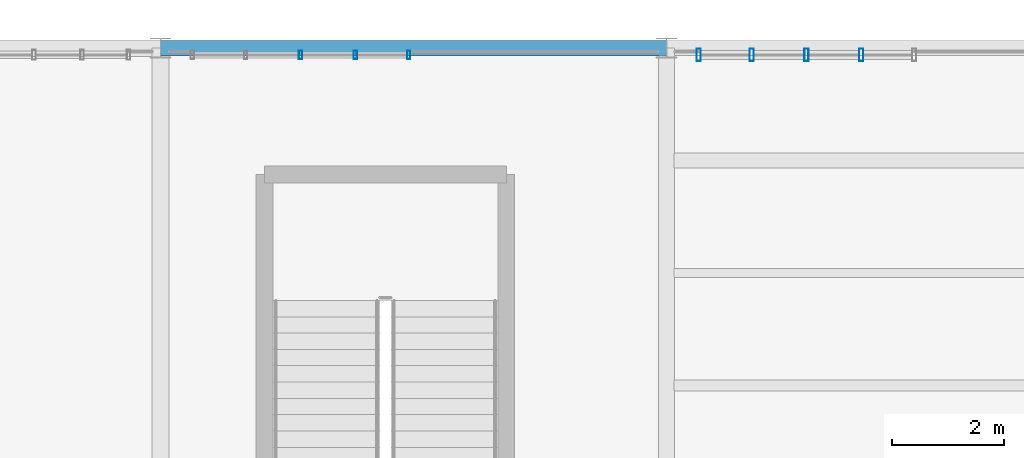
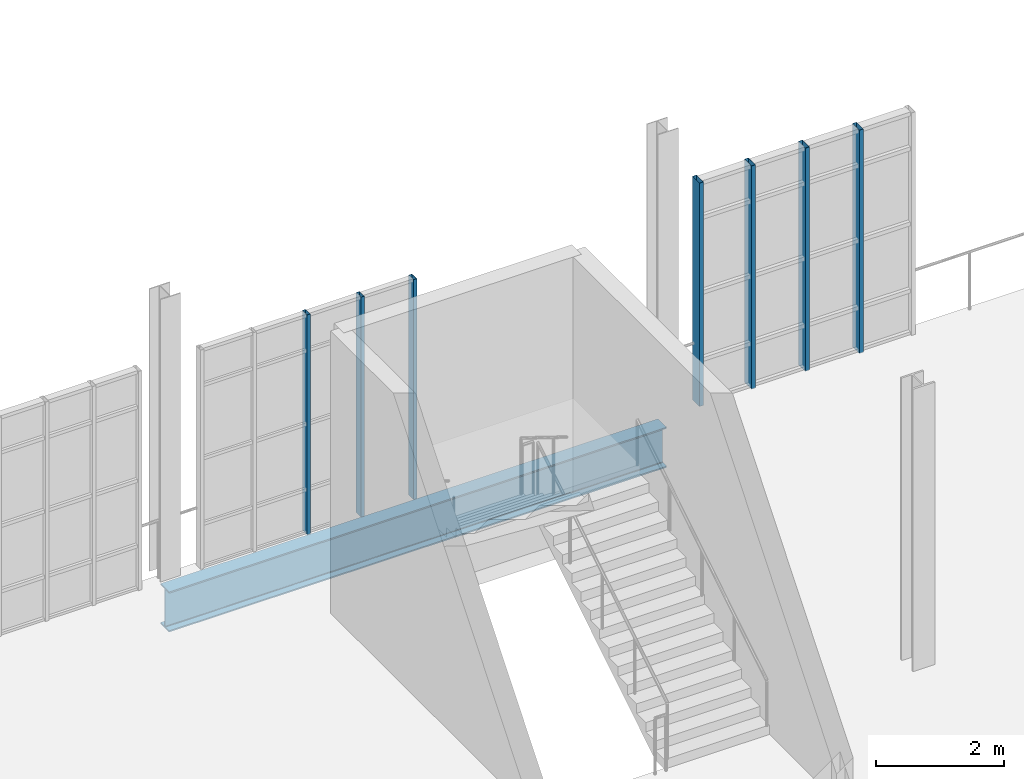
# One storey, part 65 of 142: 7 members, 1 beam, 2 elements without a shape of their own.
"""IFC4 building model written with IfcOpenShell, lengths in metres."""

from ifc_helpers import new_model, si_unit, direction, frame, origin, origin_2d, place, context, subcontext, project, spatial, hollow_rectangle, i_section, extrude, material, layer, layer_set, material_profile, profile_set, type_object, element, aggregate, save


model = new_model("IFC4")

# Units and contexts
model_context = context("Model", 3, precision=1e-05, world=origin(), true_north=direction((0.0, 1.0)))
body_context = subcontext(model_context, "Body", "Model", "MODEL_VIEW")
ifc_project = project(units=[si_unit("LENGTHUNIT", "METRE"), si_unit("AREAUNIT", "SQUARE_METRE"), si_unit("VOLUMEUNIT", "CUBIC_METRE"), si_unit("PLANEANGLEUNIT", "RADIAN"), si_unit("MASSUNIT", "GRAM", prefix="KILO"), si_unit("THERMODYNAMICTEMPERATUREUNIT", "KELVIN"), si_unit("POWERUNIT", "WATT")], contexts=[model_context])

# Site, building, storey
site_placement = place(None, origin())
site = spatial("IfcSite", under=ifc_project, at=site_placement, CompositionType="ELEMENT")
building_placement = place(site_placement, origin())
building = spatial("IfcBuilding", under=site, at=building_placement, Name="Zelmaris Science Centre", CompositionType="ELEMENT")
storey_placement = place(building_placement, frame((0.0, 0.0, 5.39990234375)))
storey = spatial("IfcBuildingStorey", under=building, at=storey_placement, Name="L01", CompositionType="ELEMENT", Elevation=5.39990234375)

# Curtain wall, members
ifc_material_1 = material(Name="Anodised architectural aluminium 6063-T6", Category="aluminium")
ifc_layer_1 = layer(ifc_material_1, 0.219970703125, Name="Anodised architectural aluminium 6063-T6")
ifc_layer_set_1 = layer_set([ifc_layer_1], Name="Anodised architectural aluminium 6063-T6")
curtain_wall_type_1 = type_object("IfcCurtainWallType", Name="Curtain Wall CW-04", PredefinedType="USERDEFINED", material=ifc_layer_set_1)
curtain_wall_1_placement = place(storey_placement, origin())
curtain_wall_1 = element("IfcCurtainWall", 1, at=curtain_wall_1_placement, inside=storey, type_object=curtain_wall_type_1, Name="L01 Unitised curtain wall 132", ObjectType="GLAZED CURTAIN WALL", PredefinedType="USERDEFINED")
ifc_material_profile_1 = material_profile(ifc_material_1, hollow_rectangle(XDim=0.06005859375, YDim=0.14990234375, WallThickness=0.00341796875, at=origin_2d()), Name="ALU-MUL-60X150")
ifc_profile_set_1 = profile_set([ifc_material_profile_1], Name="Anodised architectural aluminium 6063-T6")
member_type_1 = type_object("IfcMemberType", Name="ALU-MUL-60X150", PredefinedType="MULLION", material=ifc_profile_set_1)
member_1_placement = place(storey_placement, frame((65.489990234375, 87.8798828125, -0.014892578125), z_axis=(0.0, 0.0, 1.0), x_axis=(1.0, 0.0, 0.0)))
member_1 = element("IfcMember", 2, at=member_1_placement, type_object=member_type_1, Name="CW-04 mullion 3", PredefinedType="MULLION", context=body_context, shape_type="SweptSolid", body=[
    extrude(hollow_rectangle(XDim=0.06005859375, YDim=0.14990234375, WallThickness=0.00341796875, at=origin_2d()), origin(), (0.0, 0.0, 1.0), 4.2060546875),
])
member_2_placement = place(storey_placement, frame((66.465087890625, 87.8798828125, -0.014892578125), z_axis=(0.0, 0.0, 1.0), x_axis=(1.0, 0.0, 0.0)))
member_2 = element("IfcMember", 3, at=member_2_placement, type_object=member_type_1, Name="CW-04 mullion 4", PredefinedType="MULLION", context=body_context, shape_type="SweptSolid", body=[
    extrude(hollow_rectangle(XDim=0.06005859375, YDim=0.14990234375, WallThickness=0.00341796875, at=origin_2d()), origin(), (0.0, 0.0, 1.0), 4.2060546875),
])
member_3_placement = place(storey_placement, frame((67.4140625, 87.8798828125, -0.014892578125), z_axis=(0.0, 0.0, 1.0), x_axis=(1.0, 0.0, 0.0)))
member_3 = element("IfcMember", 4, at=member_3_placement, type_object=member_type_1, Name="CW-04 mullion 5", PredefinedType="MULLION", context=body_context, shape_type="SweptSolid", body=[
    extrude(hollow_rectangle(XDim=0.06005859375, YDim=0.14990234375, WallThickness=0.00341796875, at=origin_2d()), origin(), (0.0, 0.0, 1.0), 4.2060546875),
])
aggregate(curtain_wall_1, [member_1, member_2, member_3])

ifc_layer_2 = layer(ifc_material_1, 0.199951171875, Name="Anodised architectural aluminium 6063-T6")
ifc_layer_set_2 = layer_set([ifc_layer_2], Name="Anodised architectural aluminium 6063-T6")
curtain_wall_type_2 = type_object("IfcCurtainWallType", Name="Curtain Wall CW-02", PredefinedType="USERDEFINED", material=ifc_layer_set_2)
curtain_wall_2_placement = place(storey_placement, origin())
curtain_wall_2 = element("IfcCurtainWall", 5, at=curtain_wall_2_placement, inside=storey, type_object=curtain_wall_type_2, Name="L01 Unitised curtain wall 134", ObjectType="GLAZED CURTAIN WALL", PredefinedType="USERDEFINED")
ifc_material_profile_2 = material_profile(ifc_material_1, hollow_rectangle(XDim=0.074951171875, YDim=0.219970703125, WallThickness=0.0048828125, at=origin_2d()), Name="ALU-MUL-75X220")
ifc_profile_set_2 = profile_set([ifc_material_profile_2], Name="Anodised architectural aluminium 6063-T6")
member_type_2 = type_object("IfcMemberType", Name="ALU-MUL-75X220", PredefinedType="MULLION", material=ifc_profile_set_2)
member_4_placement = place(storey_placement, frame((72.573486328125, 87.8798828125, -0.014892578125), z_axis=(0.0, 0.0, 1.0), x_axis=(1.0, 0.0, 0.0)))
member_4 = element("IfcMember", 6, at=member_4_placement, type_object=member_type_2, Name="CW-02 mullion 1", PredefinedType="MULLION", context=body_context, shape_type="SweptSolid", body=[
    extrude(hollow_rectangle(XDim=0.074951171875, YDim=0.219970703125, WallThickness=0.0048828125, at=origin_2d()), origin(), (0.0, 0.0, 1.0), 4.26904296875),
])
member_5_placement = place(storey_placement, frame((73.514892578125, 87.8798828125, -0.014892578125), z_axis=(0.0, 0.0, 1.0), x_axis=(1.0, 0.0, 0.0)))
member_5 = element("IfcMember", 7, at=member_5_placement, type_object=member_type_2, Name="CW-02 mullion 2", PredefinedType="MULLION", context=body_context, shape_type="SweptSolid", body=[
    extrude(hollow_rectangle(XDim=0.074951171875, YDim=0.219970703125, WallThickness=0.0048828125, at=origin_2d()), origin(), (0.0, 0.0, 1.0), 4.26904296875),
])
member_6_placement = place(storey_placement, frame((74.489990234375, 87.8798828125, -0.014892578125), z_axis=(0.0, 0.0, 1.0), x_axis=(1.0, 0.0, 0.0)))
member_6 = element("IfcMember", 8, at=member_6_placement, type_object=member_type_2, Name="CW-02 mullion 3", PredefinedType="MULLION", context=body_context, shape_type="SweptSolid", body=[
    extrude(hollow_rectangle(XDim=0.074951171875, YDim=0.219970703125, WallThickness=0.0048828125, at=origin_2d()), origin(), (0.0, 0.0, 1.0), 4.26904296875),
])
member_7_placement = place(storey_placement, frame((75.465087890625, 87.8798828125, -0.014892578125), z_axis=(0.0, 0.0, 1.0), x_axis=(1.0, 0.0, 0.0)))
member_7 = element("IfcMember", 9, at=member_7_placement, type_object=member_type_2, Name="CW-02 mullion 4", PredefinedType="MULLION", context=body_context, shape_type="SweptSolid", body=[
    extrude(hollow_rectangle(XDim=0.074951171875, YDim=0.219970703125, WallThickness=0.0048828125, at=origin_2d()), origin(), (0.0, 0.0, 1.0), 4.26904296875),
])
aggregate(curtain_wall_2, [member_4, member_5, member_6, member_7])

# Beam
ifc_material_2 = material(Name="Steel ASTM A992 Grade 50", Category="steel")
ifc_material_profile_3 = material_profile(ifc_material_2, i_section(OverallWidth=0.26708984375, OverallDepth=0.77001953125, WebThickness=0.015625, FlangeThickness=0.025390625, FilletRadius=0.01904296875, at=origin_2d()), Name="W30X132")
ifc_profile_set_3 = profile_set([ifc_material_profile_3], Name="Steel ASTM A992 Grade 50")
beam_type = type_object("IfcBeamType", Name="Beam G-09 W30X132", PredefinedType="BEAM", material=ifc_profile_set_3)
beam_placement = place(storey_placement, frame((63.0, 88.0, -0.664794921875), z_axis=(1.0, 0.0, 0.0), x_axis=(0.0, 1.0, 0.0)))
element("IfcBeam", 10, at=beam_placement, inside=storey, type_object=beam_type, Name="L01 East-west girder 407", PredefinedType="BEAM", context=body_context, shape_type="SweptSolid", body=[
    extrude(i_section(OverallWidth=0.26708984375, OverallDepth=0.77001953125, WebThickness=0.015625, FlangeThickness=0.025390625, FilletRadius=0.01904296875, at=origin_2d()), origin(), (0.0, 0.0, 1.0), 9.0),
])

save(model, "model.ifc")
